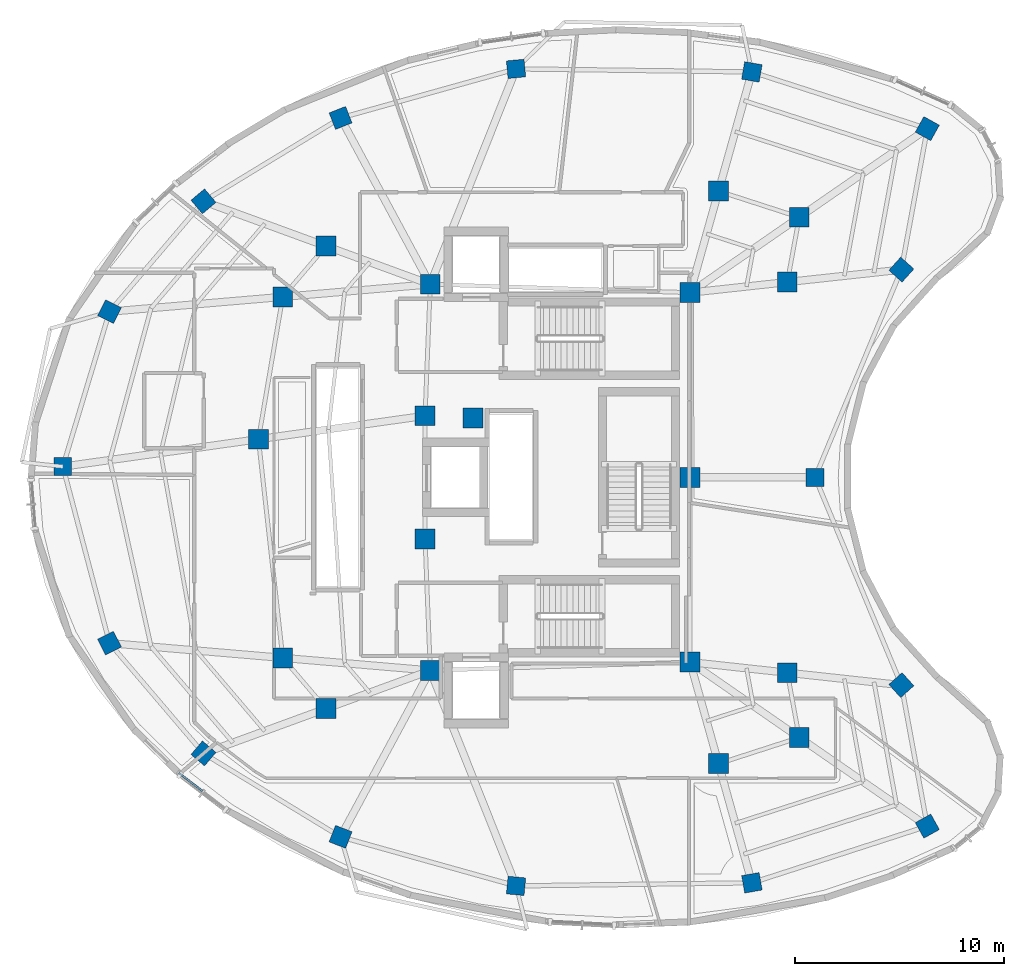
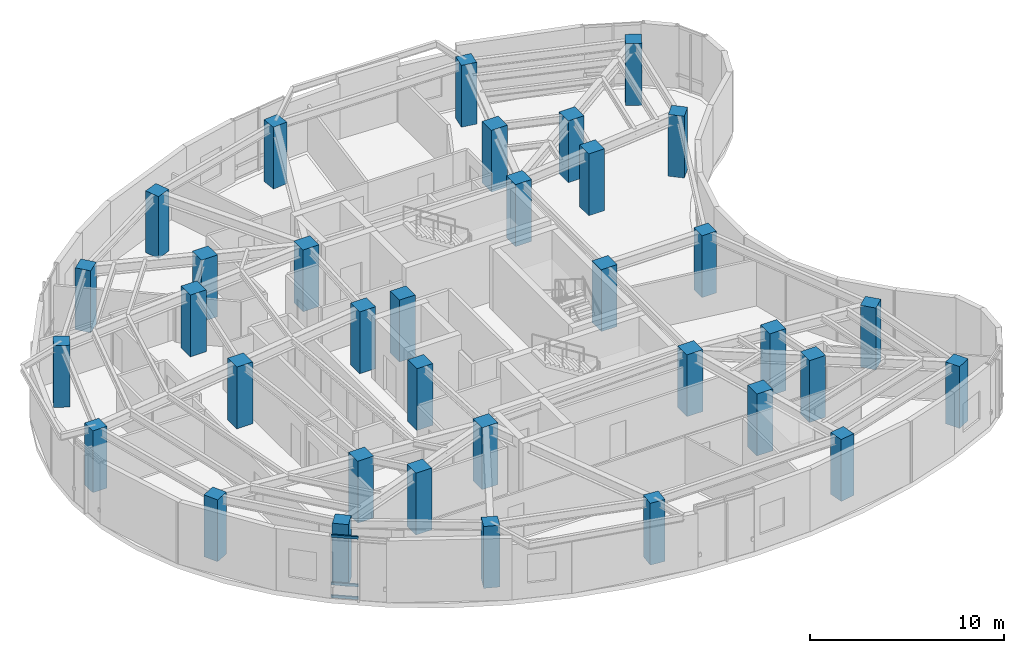
# One storey, part 1 of 13: 35 columns, 3 members, 1 element without a shape of its own.
"""IFC4 building model written with IfcOpenShell, lengths in metres."""

from ifc_helpers import new_model, si_unit, direction, frame, origin, origin_2d, place, context, subcontext, project, spatial, rectangle, extrude, material, layer, layer_set, material_profile, profile_set, type_object, element, aggregate, save


model = new_model("IFC4")

# Units and contexts
model_context = context("Model", 3, precision=1e-05, world=origin(), true_north=direction((0.0, 1.0)))
body_context = subcontext(model_context, "Body", "Model", "MODEL_VIEW")
ifc_project = project(units=[si_unit("LENGTHUNIT", "METRE"), si_unit("AREAUNIT", "SQUARE_METRE"), si_unit("VOLUMEUNIT", "CUBIC_METRE"), si_unit("PLANEANGLEUNIT", "RADIAN"), si_unit("MASSUNIT", "GRAM", prefix="KILO")], contexts=[model_context])

# Site, building, storey
site_placement = place(None, origin())
site = spatial("IfcSite", under=ifc_project, at=site_placement, CompositionType="ELEMENT")
building_placement = place(site_placement, origin())
building = spatial("IfcBuilding", under=site, at=building_placement, Name="Korentha Bioscience Tower", CompositionType="ELEMENT")
storey_placement = place(building_placement, frame((0.0, 0.0, 243.60009765625)))
storey = spatial("IfcBuildingStorey", under=building, at=storey_placement, Name="L56", CompositionType="ELEMENT", Elevation=243.60009765625)

# Columns
ifc_material_1 = material(Name="Concrete C65", Category="concrete")
ifc_material_profile_1 = material_profile(ifc_material_1, rectangle(XDim=0.949951171875, YDim=0.949951171875, at=origin_2d()), Name="Concrete C65")
ifc_profile_set_1 = profile_set([ifc_material_profile_1], Name="Concrete C65 (COL-CP09)")
column_type_1 = type_object("IfcColumnType", Name="Core Pilaster Column RC 950x950", PredefinedType="PILASTER", material=ifc_profile_set_1)
for number, where, z_axis, x_axis, name in (
    (1, (37.550048828125, 35.85009765625, -0.00048828125), (0.0, 0.0, 1.0), (1.0, 0.0, 0.0), "L56 Core Pilaster CP-01"),
    (2, (25.10009765625, 36.25, -0.00048828125), (0.0, 0.0, 1.0), (1.0, 0.0, 0.0), "L56 Core Pilaster CP-02"),
    (3, (24.85009765625, 29.949951171875, -0.00048828125), (0.0, 0.0, 1.0), (1.0, 0.0, 0.0), "L56 Core Pilaster CP-03"),
    (4, (27.14990234375, 29.85009765625, -0.00048828125), (0.0, 0.0, 1.0), (1.0, 0.0, 0.0), "L56 Core Pilaster CP-04"),
    (5, (24.85009765625, 24.050048828125, -0.00048828125), (0.0, 0.0, 1.0), (1.0, 0.0, 0.0), "L56 Core Pilaster CP-05"),
    (6, (25.10009765625, 17.75, -0.00048828125), (0.0, 0.0, 1.0), (1.0, 0.0, 0.0), "L56 Core Pilaster CP-06"),
    (7, (37.550048828125, 18.14990234375, -0.00048828125), (0.0, 0.0, 1.0), (1.0, 0.0, 0.0), "L56 Core Pilaster CP-07"),
    (8, (37.550048828125, 27.0, -0.00048828125), (0.0, 0.0, 1.0), (1.0, 0.0, 0.0), "L56 Core Pilaster CP-08"),
):
    element("IfcColumn", number, at=place(storey_placement, frame(where, z_axis=z_axis, x_axis=x_axis)), inside=storey, type_object=column_type_1, Name=name, PredefinedType="PILASTER", context=body_context, shape_type="SweptSolid", body=[
        extrude(rectangle(XDim=0.949951171875, YDim=0.949951171875, at=origin_2d()), origin(), (0.0, 0.0, 1.0), 3.90087890625),
    ])
ifc_material_profile_2 = material_profile(ifc_material_1, rectangle(XDim=0.949951171875, YDim=0.949951171875, at=origin_2d()), Name="Concrete C65")
ifc_profile_set_2 = profile_set([ifc_material_profile_2], Name="Concrete C65 (COL-MR09)")
column_type_2 = type_object("IfcColumnType", Name="Mid-Ring Lab Column RC 950x950", PredefinedType="COLUMN", material=ifc_profile_set_2)
for number, where, z_axis, x_axis, name in (
    (9, (42.77685546875, 39.464599609375, -0.00048828125), (0.0, 0.0, 1.0), (1.0, 0.0, 0.0), "L56 Mid-Ring Column 01"),
    (10, (38.9111328125, 40.714111328125, -0.00048828125), (0.0, 0.0, 1.0), (1.0, 0.0, 0.0), "L56 Mid-Ring Column 02"),
    (11, (20.102294921875, 38.07861328125, -0.00048828125), (0.0, 0.0, 1.0), (1.0, 0.0, 0.0), "L56 Mid-Ring Column 05"),
    (12, (18.03125, 35.6474609375, -0.00048828125), (0.0, 0.0, 1.0), (1.0, 0.0, 0.0), "L56 Mid-Ring Column 06"),
    (13, (16.868408203125, 28.830322265625, -0.00048828125), (0.0, 0.0, 1.0), (1.0, 0.0, 0.0), "L56 Mid-Ring Column 07"),
    (14, (18.03125, 18.3525390625, -0.00048828125), (0.0, 0.0, 1.0), (1.0, 0.0, 0.0), "L56 Mid-Ring Column 08"),
    (15, (20.102294921875, 15.92138671875, -0.00048828125), (0.0, 0.0, 1.0), (1.0, 0.0, 0.0), "L56 Mid-Ring Column 09"),
    (16, (38.9111328125, 13.285888671875, -0.00048828125), (0.0, 0.0, 1.0), (1.0, 0.0, 0.0), "L56 Mid-Ring Column 12"),
    (17, (42.77685546875, 14.535400390625, -0.00048828125), (0.0, 0.0, 1.0), (1.0, 0.0, 0.0), "L56 Mid-Ring Column 13"),
    (18, (42.205078125, 17.642822265625, -0.00048828125), (0.0, 0.0, 1.0), (1.0, 0.0, 0.0), "L56 Mid-Ring Column 14"),
    (19, (42.205078125, 36.357177734375, -0.00048828125), (0.0, 0.0, 1.0), (1.0, 0.0, 0.0), "L56 Mid-Ring Column 16"),
):
    element("IfcColumn", number, at=place(storey_placement, frame(where, z_axis=z_axis, x_axis=x_axis)), inside=storey, type_object=column_type_2, Name=name, PredefinedType="COLUMN", context=body_context, shape_type="SweptSolid", body=[
        extrude(rectangle(XDim=0.949951171875, YDim=0.949951171875, at=origin_2d()), origin(), (0.0, 0.0, 1.0), 3.90087890625),
    ])
ifc_material_2 = material(Name="Concrete C50", Category="concrete")
ifc_material_profile_3 = material_profile(ifc_material_2, rectangle(XDim=0.85009765625, YDim=0.85009765625, at=origin_2d()), Name="Concrete C50")
ifc_profile_set_3 = profile_set([ifc_material_profile_3], Name="Concrete C50 (COL-P08)")
column_type_3 = type_object("IfcColumnType", Name="Perimeter Column RC 850x850", PredefinedType="COLUMN", material=ifc_profile_set_3)
for number, where, z_axis, x_axis, name in (
    (20, (48.912841796875, 43.707763671875, -0.00048828125), (0.0, 0.0, 1.0), (-0.874535078577, 0.484962262797, 0.0), "L56 Perimeter Column 01"),
    (21, (40.5087890625, 46.423828125, -0.00048828125), (0.0, 0.0, 1.0), (-0.984868307662, 0.173304404339, 0.0), "L56 Perimeter Column 02"),
    (22, (29.209716796875, 46.57080078125, -0.00048828125), (0.0, 0.0, 1.0), (0.995462868748, 0.095150811579, 0.0), "L56 Perimeter Column 03"),
    (23, (20.802978515625, 44.220458984375, -0.00048828125), (0.0, 0.0, 1.0), (0.930225540858, 0.366988341962, 0.0), "L56 Perimeter Column 04"),
    (24, (14.2353515625, 40.225341796875, -0.00048828125), (0.0, 0.0, 1.0), (0.764246456939, 0.644924300253, 0.0), "L56 Perimeter Column 05"),
    (25, (9.7333984375, 34.93994140625, -0.00048828125), (0.0, 0.0, 1.0), (0.453057191132, 0.891481453292, 0.0), "L56 Perimeter Column 06"),
    (26, (7.4990234375, 27.51611328125, -0.00048828125), (0.0, 0.0, 1.0), (0.0, 1.0, 0.0), "L56 Perimeter Column 07"),
    (27, (9.7333984375, 19.06005859375, -0.00048828125), (0.0, 0.0, 1.0), (-0.453057191132, 0.891481453292, 0.0), "L56 Perimeter Column 08"),
    (28, (14.2353515625, 13.774658203125, -0.00048828125), (0.0, 0.0, 1.0), (-0.764246456939, 0.644924300253, 0.0), "L56 Perimeter Column 09"),
    (29, (20.802978515625, 9.779541015625, -0.00048828125), (0.0, 0.0, 1.0), (-0.930225540858, 0.366988341962, 0.0), "L56 Perimeter Column 10"),
    (30, (29.209716796875, 7.42919921875, -0.00048828125), (0.0, 0.0, 1.0), (-0.995462868748, 0.095150811579, 0.0), "L56 Perimeter Column 11"),
    (31, (40.5087890625, 7.576171875, -0.00048828125), (0.0, 0.0, 1.0), (0.984868307662, 0.173304404339, 0.0), "L56 Perimeter Column 12"),
    (32, (48.912841796875, 10.292236328125, -0.00048828125), (0.0, 0.0, 1.0), (0.874535078577, 0.484962262797, 0.0), "L56 Perimeter Column 13"),
    (33, (47.669921875, 17.04736328125, -0.00048828125), (0.0, 0.0, 1.0), (-0.669130606359, 0.743144825477, 0.0), "L56 Perimeter Column 14"),
    (34, (43.536865234375, 27.0, -0.00048828125), (0.0, 0.0, 1.0), (0.0, 1.0, 0.0), "L56 Perimeter Column 15"),
    (35, (47.669921875, 36.95263671875, -0.00048828125), (0.0, 0.0, 1.0), (0.669130606359, 0.743144825477, 0.0), "L56 Perimeter Column 16"),
):
    element("IfcColumn", number, at=place(storey_placement, frame(where, z_axis=z_axis, x_axis=x_axis)), inside=storey, type_object=column_type_3, Name=name, PredefinedType="COLUMN", context=body_context, shape_type="SweptSolid", body=[
        extrude(rectangle(XDim=0.85009765625, YDim=0.85009765625, at=origin_2d()), origin(), (0.0, 0.0, 1.0), 3.90087890625),
    ])

# Curtain wall, members
ifc_material_3 = material(Name="Thermally Broken Aluminium Frame", Category="aluminium")
ifc_layer = layer(ifc_material_3, 0.219970703125, Name="Thermally Broken Aluminium Frame")
ifc_layer_set = layer_set([ifc_layer], Name="Thermally Broken Aluminium Frame (CW-T2)")
curtain_wall_type = type_object("IfcCurtainWallType", Name="Solar-Screened Lab Unitised Curtain Wall CW-T2", PredefinedType="USERDEFINED", material=ifc_layer_set)
curtain_wall_placement = place(storey_placement, origin())
curtain_wall = element("IfcCurtainWall", 36, at=curtain_wall_placement, inside=storey, type_object=curtain_wall_type, Name="L56 Curtain Wall 25", ObjectType="UNITISED", PredefinedType="USERDEFINED")
ifc_material_4 = material(Name="Anodised Aluminium 6063-T6", Category="aluminium")
ifc_material_profile_4 = material_profile(ifc_material_4, rectangle(XDim=0.090087890625, YDim=0.159912109375, at=origin_2d()), Name="Anodised Aluminium 6063-T6")
ifc_profile_set_4 = profile_set([ifc_material_profile_4], Name="Anodised Aluminium 6063-T6 (CW-TRN)")
member_type = type_object("IfcMemberType", Name="Transom RECT 90x160", PredefinedType="USERDEFINED", material=ifc_profile_set_4)
member_1_placement = place(storey_placement, frame((13.06005859375, 12.835205078125, 0.044921875), z_axis=(0.794421209833, -0.607367221183, 0.0), x_axis=(0.607367221183, 0.794421209833, 0.0)))
member_1 = element("IfcMember", 37, at=member_1_placement, type_object=member_type, Name="CW-L56-25 Bay 1 Transom 1", ObjectType="TRANSOM", PredefinedType="USERDEFINED", context=body_context, shape_type="SweptSolid", body=[
    extrude(rectangle(XDim=0.090087890625, YDim=0.159912109375, at=origin_2d()), origin(), (0.0, 0.0, 1.0), 1.42138671875),
])
member_2_placement = place(storey_placement, frame((13.06005859375, 12.835205078125, 0.849853515625), z_axis=(0.794421209833, -0.607367221183, 0.0), x_axis=(0.607367221183, 0.794421209833, 0.0)))
member_2 = element("IfcMember", 38, at=member_2_placement, type_object=member_type, Name="CW-L56-25 Bay 1 Transom 2", ObjectType="TRANSOM", PredefinedType="USERDEFINED", context=body_context, shape_type="SweptSolid", body=[
    extrude(rectangle(XDim=0.090087890625, YDim=0.159912109375, at=origin_2d()), origin(), (0.0, 0.0, 1.0), 1.42138671875),
])
member_3_placement = place(storey_placement, frame((13.06005859375, 12.835205078125, 3.85498046875), z_axis=(0.794421209833, -0.607367221183, 0.0), x_axis=(0.607367221183, 0.794421209833, 0.0)))
member_3 = element("IfcMember", 39, at=member_3_placement, type_object=member_type, Name="CW-L56-25 Bay 1 Transom 3", ObjectType="TRANSOM", PredefinedType="USERDEFINED", context=body_context, shape_type="SweptSolid", body=[
    extrude(rectangle(XDim=0.090087890625, YDim=0.159912109375, at=origin_2d()), origin(), (0.0, 0.0, 1.0), 1.42138671875),
])
aggregate(curtain_wall, [member_1, member_2, member_3])

save(model, "model.ifc")
